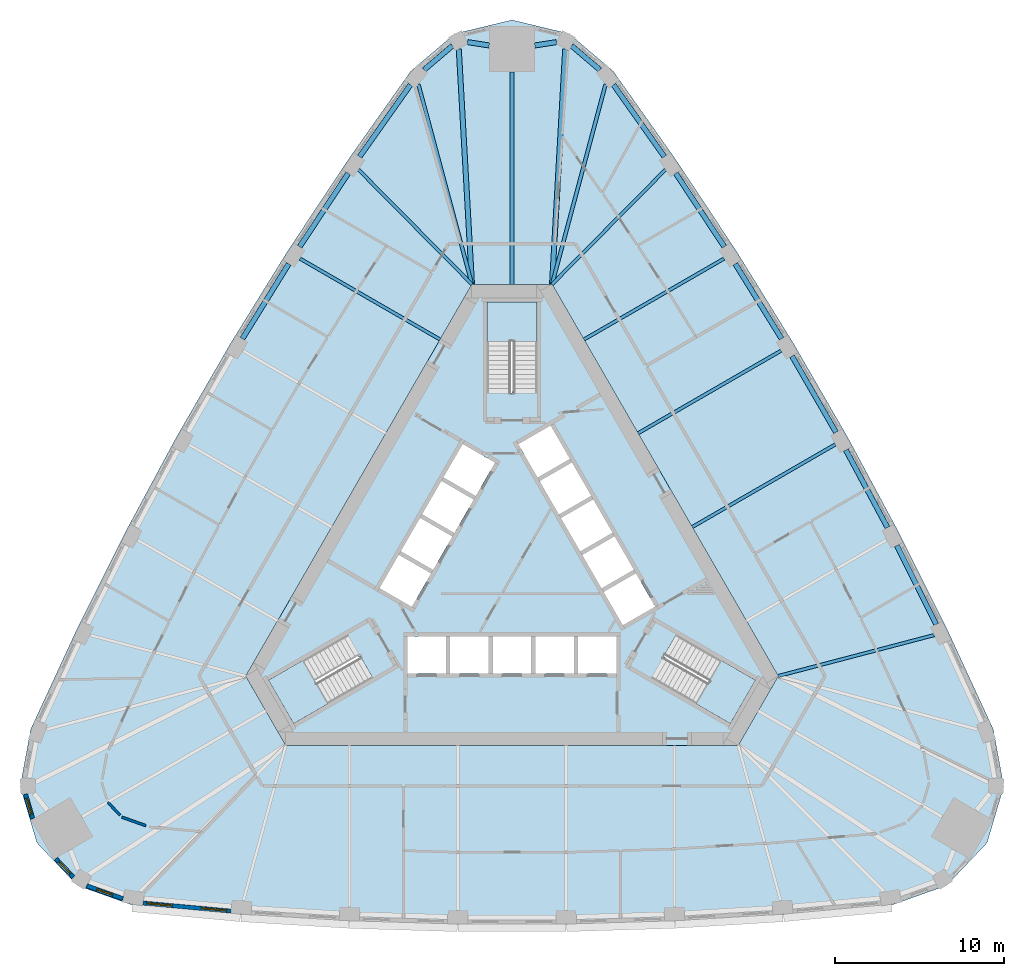
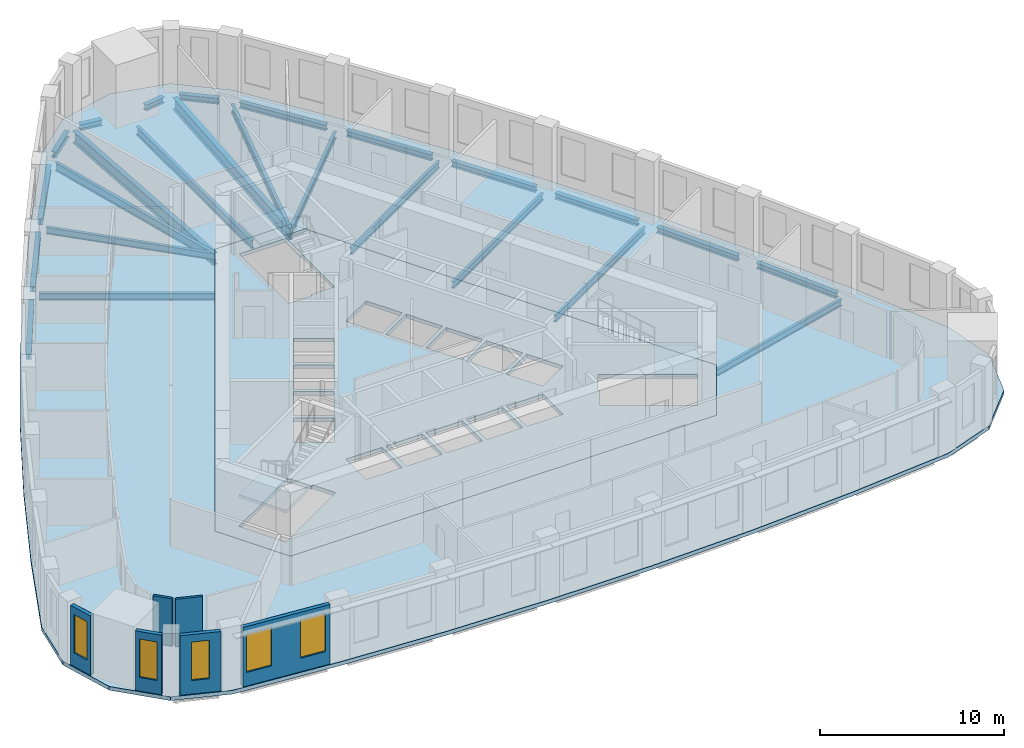
# One storey, part 2 of 11: 25 beams, 6 walls, 5 slabs, 5 windows, 5 openings, 3 elements without a shape of their own.
"""IFC4 building model written with IfcOpenShell, lengths in metres."""

from ifc_helpers import new_model, si_unit, direction, frame, frame_2d, origin, origin_2d, place, context, subcontext, project, spatial, polyline, rectangle, i_section, outline, extrude, material, layer, layer_set, material_profile, profile_set, type_object, element, fill, aggregate, save


model = new_model("IFC4")

# Units and contexts
model_context = context("Model", 3, precision=1e-05, world=origin(), true_north=direction((0.0, 1.0)))
body_context = subcontext(model_context, "Body", "Model", "MODEL_VIEW")
ifc_project = project(units=[si_unit("LENGTHUNIT", "METRE"), si_unit("AREAUNIT", "SQUARE_METRE"), si_unit("VOLUMEUNIT", "CUBIC_METRE"), si_unit("PLANEANGLEUNIT", "RADIAN"), si_unit("MASSUNIT", "GRAM", prefix="KILO")], contexts=[model_context])

# Site, building, storey
site_placement = place(None, origin())
site = spatial("IfcSite", under=ifc_project, at=site_placement, CompositionType="ELEMENT")
building_placement = place(site_placement, origin())
building = spatial("IfcBuilding", under=site, at=building_placement, Name="Mestral Congress Tower", CompositionType="ELEMENT")
storey_placement = place(building_placement, frame((0.0, 0.0, 171.0)))
storey = spatial("IfcBuildingStorey", under=building, at=storey_placement, Name="L40", CompositionType="ELEMENT", Elevation=171.0)

# Beams
ifc_material_1 = material(Name="Steel S355", Category="steel")
ifc_material_profile_1 = material_profile(ifc_material_1, i_section(OverallWidth=0.300048828125, OverallDepth=0.800048828125, WebThickness=0.017578125, FlangeThickness=0.032958984375, FilletRadius=0.030029296875, at=origin_2d()), Name="HEB 800")
ifc_profile_set_1 = profile_set([ifc_material_profile_1], Name="Steel S355")
beam_type_1 = type_object("IfcBeamType", Name="Floor beam HEB 800 S355", PredefinedType="BEAM", material=ifc_profile_set_1)
for number, where, z_axis, x_axis, name in (
    (1, (3.143798828125, 30.703857421875, -0.64990234375), (-0.055769084972, -0.998443693536, 0.0), (0.998443693536, -0.055769084972, 0.0), "BM-L40-RB3-N1"),
    (2, (-3.143798828125, 30.703857421875, -0.64990234375), (0.055769084972, -0.998443693536, 0.0), (0.998443693536, 0.055769084972, 0.0), "BM-L40-RB3-N3"),
):
    element("IfcBeam", number, at=place(storey_placement, frame(where, z_axis=z_axis, x_axis=x_axis)), inside=storey, type_object=beam_type_1, Name=name, PredefinedType="BEAM", context=body_context, shape_type="SweptSolid", body=[
        extrude(i_section(OverallWidth=0.300048828125, OverallDepth=0.800048828125, WebThickness=0.017578125, FlangeThickness=0.032958984375, FilletRadius=0.030029296875, at=origin_2d()), origin(), (0.0, 0.0, 1.0), 13.925537109375),
    ])
ifc_material_profile_2 = material_profile(ifc_material_1, i_section(OverallWidth=0.18994140625, OverallDepth=0.449951171875, WebThickness=0.009521484375, FlangeThickness=0.0146484375, FilletRadius=0.02099609375, at=origin_2d()), Name="IPE 450")
ifc_profile_set_2 = profile_set([ifc_material_profile_2], Name="Steel S355")
beam_type_2 = type_object("IfcBeamType", Name="Floor beam IPE 450 S355", PredefinedType="BEAM", material=ifc_profile_set_2)
beam_1_placement = place(storey_placement, frame((24.938232421875, -3.93505859375, -0.47509765625), z_axis=(-0.967265999603, -0.253764627187, 0.0), x_axis=(0.253764627187, -0.967265999603, 0.0)))
element("IfcBeam", 3, at=beam_1_placement, inside=storey, type_object=beam_type_2, Name="BM-L40-RB3-E01", PredefinedType="BEAM", context=body_context, shape_type="SweptSolid", body=[
    extrude(i_section(OverallWidth=0.18994140625, OverallDepth=0.449951171875, WebThickness=0.009521484375, FlangeThickness=0.0146484375, FilletRadius=0.02099609375, at=origin_2d()), origin(), (0.0, 0.0, 1.0), 9.516845703125),
])
beam_2_placement = place(storey_placement, frame((19.100830078125, 7.332763671875, -0.47509765625), z_axis=(-0.866036015824, -0.499981618958, 0.0), x_axis=(0.499981618958, -0.866036015824, 0.0)))
element("IfcBeam", 4, at=beam_2_placement, inside=storey, type_object=beam_type_2, Name="BM-L40-RB3-E03", PredefinedType="BEAM", context=body_context, shape_type="SweptSolid", body=[
    extrude(i_section(OverallWidth=0.18994140625, OverallDepth=0.449951171875, WebThickness=0.009521484375, FlangeThickness=0.0146484375, FilletRadius=0.02099609375, at=origin_2d()), origin(), (0.0, 0.0, 1.0), 9.758056640625),
])
beam_3_placement = place(storey_placement, frame((15.90087890625, 12.875244140625, -0.47509765625), z_axis=(-0.866025182435, -0.500000383388, 0.0), x_axis=(0.500000383388, -0.866025182435, 0.0)))
element("IfcBeam", 5, at=beam_3_placement, inside=storey, type_object=beam_type_2, Name="BM-L40-RB3-E04", PredefinedType="BEAM", context=body_context, shape_type="SweptSolid", body=[
    extrude(i_section(OverallWidth=0.18994140625, OverallDepth=0.449951171875, WebThickness=0.009521484375, FlangeThickness=0.0146484375, FilletRadius=0.02099609375, at=origin_2d()), origin(), (0.0, 0.0, 1.0), 9.75830078125),
])
beam_4_placement = place(storey_placement, frame((12.532958984375, 18.317138671875, -0.47509765625), z_axis=(-0.866022320763, -0.500005339912, 0.0), x_axis=(0.500005339912, -0.866022320763, 0.0)))
element("IfcBeam", 6, at=beam_4_placement, inside=storey, type_object=beam_type_2, Name="BM-L40-RB3-E05", PredefinedType="BEAM", context=body_context, shape_type="SweptSolid", body=[
    extrude(i_section(OverallWidth=0.18994140625, OverallDepth=0.449951171875, WebThickness=0.009521484375, FlangeThickness=0.0146484375, FilletRadius=0.02099609375, at=origin_2d()), origin(), (0.0, 0.0, 1.0), 9.5625),
])
for number, where, z_axis, x_axis, name in (
    (7, (9.06103515625, 23.564697265625, -0.47509765625), (-0.703377189025, -0.710816804781, 0.0), (0.710816804781, -0.703377189025, 0.0), "BM-L40-RB3-E06"),
    (8, (-9.06103515625, 23.564697265625, -0.47509765625), (0.703377189025, -0.710816804781, 0.0), (0.710816804781, 0.703377189025, 0.0), "BM-L40-RB3-W01"),
):
    element("IfcBeam", number, at=place(storey_placement, frame(where, z_axis=z_axis, x_axis=x_axis)), inside=storey, type_object=beam_type_2, Name=name, PredefinedType="BEAM", context=body_context, shape_type="SweptSolid", body=[
        extrude(i_section(OverallWidth=0.18994140625, OverallDepth=0.449951171875, WebThickness=0.009521484375, FlangeThickness=0.0146484375, FilletRadius=0.02099609375, at=origin_2d()), origin(), (0.0, 0.0, 1.0), 9.516845703125),
    ])
beam_5_placement = place(storey_placement, frame((-12.532958984375, 18.317138671875, -0.47509765625), z_axis=(0.866022320763, -0.500005339912, 0.0), x_axis=(0.500005339912, 0.866022320763, 0.0)))
element("IfcBeam", 9, at=beam_5_placement, inside=storey, type_object=beam_type_2, Name="BM-L40-RB3-W02", PredefinedType="BEAM", context=body_context, shape_type="SweptSolid", body=[
    extrude(i_section(OverallWidth=0.18994140625, OverallDepth=0.449951171875, WebThickness=0.009521484375, FlangeThickness=0.0146484375, FilletRadius=0.02099609375, at=origin_2d()), origin(), (0.0, 0.0, 1.0), 9.5625),
])
ifc_material_profile_3 = material_profile(ifc_material_1, i_section(OverallWidth=0.2099609375, OverallDepth=0.550048828125, WebThickness=0.010986328125, FlangeThickness=0.01708984375, FilletRadius=0.02392578125, at=origin_2d()), Name="IPE 550")
ifc_profile_set_3 = profile_set([ifc_material_profile_3], Name="Steel S355")
beam_type_3 = type_object("IfcBeamType", Name="Floor beam IPE 550 S355", PredefinedType="BEAM", material=ifc_profile_set_3)
beam_6_placement = place(storey_placement, frame((5.5283203125, 28.609375, -0.52490234375), z_axis=(-0.258577363905, -0.965990552167, 0.0), x_axis=(0.965990552167, -0.258577363905, 0.0)))
element("IfcBeam", 10, at=beam_6_placement, inside=storey, type_object=beam_type_3, Name="BM-L40-RB3-E07", PredefinedType="BEAM", context=body_context, shape_type="SweptSolid", body=[
    extrude(i_section(OverallWidth=0.2099609375, OverallDepth=0.550048828125, WebThickness=0.010986328125, FlangeThickness=0.01708984375, FilletRadius=0.02392578125, at=origin_2d()), origin(), (0.0, 0.0, 1.0), 12.22509765625),
])
beam_7_placement = place(storey_placement, frame((0.0, 29.354248046875, -0.52490234375), z_axis=(0.0, -1.0, 0.0), x_axis=(1.0, 0.0, 0.0)))
element("IfcBeam", 11, at=beam_7_placement, inside=storey, type_object=beam_type_3, Name="BM-L40-RB3-N", PredefinedType="BEAM", context=body_context, shape_type="SweptSolid", body=[
    extrude(i_section(OverallWidth=0.2099609375, OverallDepth=0.550048828125, WebThickness=0.010986328125, FlangeThickness=0.01708984375, FilletRadius=0.02392578125, at=origin_2d()), origin(), (0.0, 0.0, 1.0), 12.55419921875),
])
beam_8_placement = place(storey_placement, frame((-5.5283203125, 28.609375, -0.52490234375), z_axis=(0.258577363905, -0.965990552167, 0.0), x_axis=(0.965990552167, 0.258577363905, 0.0)))
element("IfcBeam", 12, at=beam_8_placement, inside=storey, type_object=beam_type_3, Name="BM-L40-RB3-W00", PredefinedType="BEAM", context=body_context, shape_type="SweptSolid", body=[
    extrude(i_section(OverallWidth=0.2099609375, OverallDepth=0.550048828125, WebThickness=0.010986328125, FlangeThickness=0.01708984375, FilletRadius=0.02392578125, at=origin_2d()), origin(), (0.0, 0.0, 1.0), 12.22509765625),
])
ifc_material_profile_4 = material_profile(ifc_material_1, i_section(OverallWidth=0.300048828125, OverallDepth=0.389892578125, WebThickness=0.010986328125, FlangeThickness=0.01904296875, FilletRadius=0.027099609375, at=origin_2d()), Name="HEA 400")
ifc_profile_set_4 = profile_set([ifc_material_profile_4], Name="Steel S355")
beam_type_4 = type_object("IfcBeamType", Name="Spandrel beam HEA 400 S355", PredefinedType="BEAM", material=ifc_profile_set_4)
beam_9_placement = place(storey_placement, frame((25.064453125, -3.294677734375, -0.445068359375), z_axis=(-0.446255467462, 0.894905613884, 0.0), x_axis=(-0.894905613884, -0.446255467462, 0.0)))
element("IfcBeam", 13, at=beam_9_placement, inside=storey, type_object=beam_type_4, Name="SP-L40-SB3-E01", PredefinedType="BEAM", context=body_context, shape_type="SweptSolid", body=[
    extrude(i_section(OverallWidth=0.300048828125, OverallDepth=0.389892578125, WebThickness=0.010986328125, FlangeThickness=0.01904296875, FilletRadius=0.027099609375, at=origin_2d()), origin(), (0.0, 0.0, 1.0), 5.199462890625),
])
for number, where, z_axis, x_axis, name in (
    (14, (22.1923828125, 2.424072265625, -0.445068359375), (-0.473332458078, 0.880883865291, 0.0), (-0.880883865291, -0.473332458078, 0.0), "SP-L40-SB3-E02"),
    (15, (19.147216796875, 8.052490234375, -0.445068359375), (-0.499992051641, 0.866029992723, 0.0), (-0.866029992723, -0.499992051641, 0.0), "SP-L40-SB3-E03"),
):
    element("IfcBeam", number, at=place(storey_placement, frame(where, z_axis=z_axis, x_axis=x_axis)), inside=storey, type_object=beam_type_4, Name=name, PredefinedType="BEAM", context=body_context, shape_type="SweptSolid", body=[
        extrude(i_section(OverallWidth=0.300048828125, OverallDepth=0.389892578125, WebThickness=0.010986328125, FlangeThickness=0.01904296875, FilletRadius=0.027099609375, at=origin_2d()), origin(), (0.0, 0.0, 1.0), 5.19970703125),
    ])
for number, where, z_axis, x_axis, name in (
    (16, (15.931640625, 13.585693359375, -0.445068359375), (-0.526220441006, 0.8503481919, 0.0), (-0.8503481919, -0.526220441006, 0.0), "SP-L40-SB3-E04"),
    (17, (12.548583984375, 19.017822265625, -0.445068359375), (-0.551901475275, 0.833909324561, 0.0), (-0.833909324561, -0.551901475275, 0.0), "SP-L40-SB3-E05"),
):
    element("IfcBeam", number, at=place(storey_placement, frame(where, z_axis=z_axis, x_axis=x_axis)), inside=storey, type_object=beam_type_4, Name=name, PredefinedType="BEAM", context=body_context, shape_type="SweptSolid", body=[
        extrude(i_section(OverallWidth=0.300048828125, OverallDepth=0.389892578125, WebThickness=0.010986328125, FlangeThickness=0.01904296875, FilletRadius=0.027099609375, at=origin_2d()), origin(), (0.0, 0.0, 1.0), 5.199462890625),
    ])
beam_10_placement = place(storey_placement, frame((9.00146484375, 24.34423828125, -0.445068359375), z_axis=(-0.577107284947, 0.816668342512, 0.0), x_axis=(-0.816668342512, -0.577107284947, 0.0)))
element("IfcBeam", 18, at=beam_10_placement, inside=storey, type_object=beam_type_4, Name="SP-L40-SB3-E06", PredefinedType="BEAM", context=body_context, shape_type="SweptSolid", body=[
    extrude(i_section(OverallWidth=0.300048828125, OverallDepth=0.389892578125, WebThickness=0.010986328125, FlangeThickness=0.01904296875, FilletRadius=0.027099609375, at=origin_2d()), origin(), (0.0, 0.0, 1.0), 5.197509765625),
])
beam_11_placement = place(storey_placement, frame((5.191162109375, 29.47509765625, -0.445068359375), z_axis=(-0.761471479234, 0.648198415852, 0.0), x_axis=(-0.648198415852, -0.761471479234, 0.0)))
element("IfcBeam", 19, at=beam_11_placement, inside=storey, type_object=beam_type_4, Name="SP-L40-SB3-E07", PredefinedType="BEAM", context=body_context, shape_type="SweptSolid", body=[
    extrude(i_section(OverallWidth=0.300048828125, OverallDepth=0.389892578125, WebThickness=0.010986328125, FlangeThickness=0.01904296875, FilletRadius=0.027099609375, at=origin_2d()), origin(), (0.0, 0.0, 1.0), 2.189697265625),
])
for number, where, z_axis, x_axis, name in (
    (20, (2.62353515625, 31.10986328125, -0.445068359375), (-0.988242111203, -0.152897121116, 0.0), (0.152897121116, -0.988242111203, 0.0), "SP-L40-SB3-N1"),
    (21, (-1.35009765625, 30.912841796875, -0.445068359375), (-0.988242111203, 0.152897121116, 0.0), (-0.152897121116, -0.988242111203, 0.0), "SP-L40-SB3-N"),
):
    element("IfcBeam", number, at=place(storey_placement, frame(where, z_axis=z_axis, x_axis=x_axis)), inside=storey, type_object=beam_type_4, Name=name, PredefinedType="BEAM", context=body_context, shape_type="SweptSolid", body=[
        extrude(i_section(OverallWidth=0.300048828125, OverallDepth=0.389892578125, WebThickness=0.010986328125, FlangeThickness=0.01904296875, FilletRadius=0.027099609375, at=origin_2d()), origin(), (0.0, 0.0, 1.0), 1.28857421875),
    ])
beam_12_placement = place(storey_placement, frame((-3.523681640625, 30.89453125, -0.445068359375), z_axis=(-0.761471479234, -0.648198415852, 0.0), x_axis=(0.648198415852, -0.761471479234, 0.0)))
element("IfcBeam", 22, at=beam_12_placement, inside=storey, type_object=beam_type_4, Name="SP-L40-SB3-N3", PredefinedType="BEAM", context=body_context, shape_type="SweptSolid", body=[
    extrude(i_section(OverallWidth=0.300048828125, OverallDepth=0.389892578125, WebThickness=0.010986328125, FlangeThickness=0.01904296875, FilletRadius=0.027099609375, at=origin_2d()), origin(), (0.0, 0.0, 1.0), 2.189697265625),
])
beam_13_placement = place(storey_placement, frame((-6.001953125, 28.5888671875, -0.445068359375), z_axis=(-0.577107284947, -0.816668342512, 0.0), x_axis=(0.816668342512, -0.577107284947, 0.0)))
element("IfcBeam", 23, at=beam_13_placement, inside=storey, type_object=beam_type_4, Name="SP-L40-SB3-W00", PredefinedType="BEAM", context=body_context, shape_type="SweptSolid", body=[
    extrude(i_section(OverallWidth=0.300048828125, OverallDepth=0.389892578125, WebThickness=0.010986328125, FlangeThickness=0.01904296875, FilletRadius=0.027099609375, at=origin_2d()), origin(), (0.0, 0.0, 1.0), 5.197509765625),
])
for number, where, z_axis, x_axis, name in (
    (24, (-9.678955078125, 23.353759765625, -0.445068359375), (-0.551901475275, -0.833909324561, 0.0), (0.833909324561, -0.551901475275, 0.0), "SP-L40-SB3-W01"),
    (25, (-13.195556640625, 18.007080078125, -0.445068359375), (-0.526220441006, -0.8503481919, 0.0), (0.8503481919, -0.526220441006, 0.0), "SP-L40-SB3-W02"),
):
    element("IfcBeam", number, at=place(storey_placement, frame(where, z_axis=z_axis, x_axis=x_axis)), inside=storey, type_object=beam_type_4, Name=name, PredefinedType="BEAM", context=body_context, shape_type="SweptSolid", body=[
        extrude(i_section(OverallWidth=0.300048828125, OverallDepth=0.389892578125, WebThickness=0.010986328125, FlangeThickness=0.01904296875, FilletRadius=0.027099609375, at=origin_2d()), origin(), (0.0, 0.0, 1.0), 5.199462890625),
    ])

# Slabs
ifc_material_2 = material(Name="Concrete C35/45", Category="concrete")
ifc_layer_1 = layer(ifc_material_2, 0.25)
ifc_layer_set_1 = layer_set([ifc_layer_1], Name="Concrete C35/45")
slab_type_1 = type_object("IfcSlabType", Name="Composite floor slab 250", PredefinedType="FLOOR", material=ifc_layer_set_1)
placement_1 = place(storey_placement, frame((0.0, 0.0, -0.25)))
element("IfcSlab", 26, at=placement_1, inside=storey, type_object=slab_type_1, Name="SL-L40", PredefinedType="FLOOR", context=body_context, shape_type="SweptSolid", body=[
    extrude(outline(polyline([(-22.455078125, -19.880126953125), (-25.68212890625, -18.731689453125), (-28.073974609375, -16.20849609375), (-29.06298828125, -12.87548828125), (-28.444091796875, -9.506591796875), (-25.73779296875, -3.63720703125), (-22.8759765625, 2.1025390625), (-19.84033203125, 7.751953125), (-16.633544921875, 13.30615234375), (-13.2587890625, 18.760009765625), (-9.71923828125, 24.1083984375), (-5.9892578125, 29.38671875), (-3.381103515625, 31.607177734375), (0.0, 32.4169921875), (3.381103515625, 31.607177734375), (5.9892578125, 29.38671875), (9.71923828125, 24.1083984375), (13.2587890625, 18.760009765625), (16.633544921875, 13.30615234375), (19.84033203125, 7.751953125), (22.8759765625, 2.1025390625), (25.73779296875, -3.63720703125), (28.444091796875, -9.506591796875), (29.06298828125, -12.87548828125), (28.073974609375, -16.20849609375), (25.68212890625, -18.731689453125), (22.455078125, -19.880126953125), (16.018798828125, -20.47119140625), (9.6171875, -20.862548828125), (3.206787109375, -21.05810546875), (-3.206787109375, -21.05810546875), (-9.6171875, -20.862548828125), (-16.018798828125, -20.47119140625), (-22.455078125, -19.880126953125)]), holes=[polyline([(-2.3671875, 16.800048828125), (-15.73291015625, -6.35009765625), (-13.36572265625, -10.449951171875), (13.36572265625, -10.449951171875), (15.73291015625, -6.35009765625), (2.3671875, 16.800048828125), (-2.3671875, 16.800048828125)])]), origin(), (0.0, 0.0, 1.0), 0.25),
])
ifc_material_3 = material(Name="Concrete C60/75", Category="concrete")
ifc_layer_2 = layer(ifc_material_3, 0.25)
ifc_layer_set_2 = layer_set([ifc_layer_2], Name="Concrete C60/75")
slab_type_2 = type_object("IfcSlabType", Name="Core floor slab RC 250", PredefinedType="FLOOR", material=ifc_layer_set_2)
element("IfcSlab", 27, at=placement_1, inside=storey, type_object=slab_type_2, Name="L40 core floor", PredefinedType="FLOOR", context=body_context, shape_type="SweptSolid", body=[
    extrude(outline(polyline([(13.36572265625, -10.449951171875), (-13.36572265625, -10.449951171875), (-15.73291015625, -6.35009765625), (-2.3671875, 16.800048828125), (2.3671875, 16.800048828125), (15.73291015625, -6.35009765625), (13.36572265625, -10.449951171875)]), holes=[polyline([(-9.8046875, -3.95751953125), (-14.37744140625, -6.59765625), (-12.90234375, -9.15234375), (-8.234619140625, -6.45751953125), (-8.971923828125, -5.179931640625), (-9.0673828125, -5.235107421875), (-9.8046875, -3.95751953125)]), polyline([(-3.905029296875, -4.0), (-6.175048828125, -4.0), (-6.175048828125, -6.199951171875), (-3.905029296875, -6.199951171875), (-3.905029296875, -4.0)]), polyline([(-1.385009765625, -4.0), (-3.655029296875, -4.0), (-3.655029296875, -6.199951171875), (-1.385009765625, -6.199951171875), (-1.385009765625, -4.0)]), polyline([(1.135009765625, -4.0), (-1.135009765625, -4.0), (-1.135009765625, -6.199951171875), (1.135009765625, -6.199951171875), (1.135009765625, -4.0)]), polyline([(-5.921630859375, -2.256591796875), (-4.78662109375, -0.29052734375), (-6.69189453125, 0.809326171875), (-7.826904296875, -1.156494140625), (-5.921630859375, -2.256591796875)]), polyline([(-4.66162109375, -0.07421875), (-3.526611328125, 1.8916015625), (-5.431884765625, 2.99169921875), (-6.56689453125, 1.02587890625), (-4.66162109375, -0.07421875)]), polyline([(-3.401611328125, 2.1083984375), (-2.2666015625, 4.07421875), (-4.171875, 5.174072265625), (-5.306884765625, 3.208251953125), (-3.401611328125, 2.1083984375)]), polyline([(-2.1416015625, 4.29052734375), (-1.006591796875, 6.256591796875), (-2.911865234375, 7.3564453125), (-4.046875, 5.390625), (-2.1416015625, 4.29052734375)]), polyline([(1.47509765625, 10.469970703125), (1.47509765625, 15.75), (-1.47509765625, 15.75), (-1.47509765625, 10.360107421875), (0.0, 10.360107421875), (0.0, 10.469970703125), (1.47509765625, 10.469970703125)]), polyline([(8.329833984375, -6.512451171875), (12.90234375, -9.15234375), (14.37744140625, -6.59765625), (9.70947265625, -3.902587890625), (8.971923828125, -5.179931640625), (9.0673828125, -5.235107421875), (8.329833984375, -6.512451171875)]), polyline([(3.655029296875, -4.0), (1.385009765625, -4.0), (1.385009765625, -6.199951171875), (3.655029296875, -6.199951171875), (3.655029296875, -4.0)]), polyline([(6.175048828125, -4.0), (3.905029296875, -4.0), (3.905029296875, -6.199951171875), (6.175048828125, -6.199951171875), (6.175048828125, -4.0)]), polyline([(5.41650390625, -1.3818359375), (6.551513671875, -3.34765625), (8.456787109375, -2.247802734375), (7.322021484375, -0.28173828125), (5.41650390625, -1.3818359375)]), polyline([(4.156494140625, 0.800537109375), (5.29150390625, -1.165283203125), (7.197021484375, -0.065185546875), (6.06201171875, 1.900634765625), (4.156494140625, 0.800537109375)]), polyline([(2.896484375, 2.98291015625), (4.031494140625, 1.01708984375), (5.93701171875, 2.1171875), (4.802001953125, 4.0830078125), (2.896484375, 2.98291015625)]), polyline([(3.5419921875, 6.265380859375), (1.63671875, 5.165283203125), (2.771484375, 3.199462890625), (4.677001953125, 4.29931640625), (3.5419921875, 6.265380859375)]), polyline([(2.281982421875, 8.44775390625), (0.376708984375, 7.34765625), (1.51171875, 5.3818359375), (3.4169921875, 6.481689453125), (2.281982421875, 8.44775390625)])]), origin(), (0.0, 0.0, 1.0), 0.25),
])

# Stair, slab
stair_type = type_object("IfcStairType", Name="Exit stair 1400", PredefinedType="HALF_TURN_STAIR", material=ifc_material_3)
placement_2 = place(storey_placement, origin())
stair_1 = element("IfcStair", 28, at=placement_2, inside=storey, type_object=stair_type, Name="L40 ST1", PredefinedType="HALF_TURN_STAIR")
ifc_layer_3 = layer(ifc_material_3, 0.199951171875)
ifc_layer_set_3 = layer_set([ifc_layer_3], Name="Concrete C60/75")
slab_type_3 = type_object("IfcSlabType", Name="Exit stair landing 200", PredefinedType="LANDING", material=ifc_layer_set_3)
placement_3 = place(storey_placement, frame((0.0, 0.0, 1.89990234375)))
slab_3 = element("IfcSlab", 29, at=placement_3, type_object=slab_type_3, Name="ST1 landing 1", PredefinedType="LANDING", context=body_context, shape_type="SweptSolid", body=[
    extrude(outline(polyline([(10.879638671875, -7.99609375), (12.364501953125, -5.424072265625), (14.39111328125, -6.593994140625), (12.906005859375, -9.166015625), (10.879638671875, -7.99609375)])), origin(), (0.0, 0.0, 1.0), 0.2001953125),
])
aggregate(stair_1, [slab_3])

stair_2 = element("IfcStair", 30, at=placement_2, inside=storey, type_object=stair_type, Name="L40 ST2", PredefinedType="HALF_TURN_STAIR")
slab_4 = element("IfcSlab", 31, at=placement_3, type_object=slab_type_3, Name="ST2 landing 1", PredefinedType="LANDING", context=body_context, shape_type="SweptSolid", body=[
    extrude(outline(polyline([(1.485107421875, 13.419921875), (-1.485107421875, 13.419921875), (-1.485107421875, 15.760009765625), (1.485107421875, 15.760009765625), (1.485107421875, 13.419921875)])), origin(), (0.0, 0.0, 1.0), 0.2001953125),
])
aggregate(stair_2, [slab_4])

stair_3 = element("IfcStair", 32, at=placement_2, inside=storey, type_object=stair_type, Name="L40 ST3", PredefinedType="HALF_TURN_STAIR")
slab_5 = element("IfcSlab", 33, at=placement_3, type_object=slab_type_3, Name="ST3 landing 1", PredefinedType="LANDING", context=body_context, shape_type="SweptSolid", body=[
    extrude(outline(polyline([(-12.364501953125, -5.424072265625), (-10.879638671875, -7.99609375), (-12.906005859375, -9.166015625), (-14.39111328125, -6.593994140625), (-12.364501953125, -5.424072265625)])), origin(), (0.0, 0.0, 1.0), 0.2001953125),
])
aggregate(stair_3, [slab_5])

# Wall, openings, windows
ifc_material_4 = material(Name="Precast concrete C40/50 with limestone facing", Category="masonry")
ifc_layer_4 = layer(ifc_material_4, 0.239990234375)
ifc_layer_set_4 = layer_set([ifc_layer_4], Name="Precast concrete C40/50 with limestone facing")
wall_type_1 = type_object("IfcWallType", Name="Facade stone wall 240", PredefinedType="SOLIDWALL", material=ifc_layer_set_4)
wall_1_placement = place(storey_placement, frame((-21.797119140625, -19.769775390625, 0.0), z_axis=(0.0, 0.0, 1.0), x_axis=(0.995808712151, -0.091460422067, 0.0)))
wall_1 = element("IfcWall", 34, at=wall_1_placement, inside=storey, type_object=wall_type_1, Name="Facade wall F0-00", PredefinedType="SOLIDWALL", context=body_context, shape_type="SweptSolid", body=[
    extrude(rectangle(XDim=5.213134765625, YDim=0.239990234375, at=frame_2d((2.6064453125, 0.0))), origin(), (0.0, 0.0, 1.0), 3.949951171875),
])
opening_1_placement = place(wall_1_placement, frame((0.220947265625, 0.0, 0.89990234375)))
opening_1 = element("IfcOpeningElement", 35, at=opening_1_placement, cuts=wall_1, Name="Opening W4", PredefinedType="OPENING", context=body_context, shape_type="SweptSolid", body=[
    extrude(rectangle(XDim=1.5, YDim=2.550048828125, at=frame_2d((0.75, 1.27490234375))), frame((0.0, 0.1298828125, 0.0), z_axis=(0.0, -1.0, 0.0), x_axis=(1.0, 0.0, 0.0)), (0.0, 0.0, 1.0), 0.260009765625),
])
opening_2_placement = place(wall_1_placement, frame((3.452392578125, 0.0, 0.89990234375)))
opening_2 = element("IfcOpeningElement", 36, at=opening_2_placement, cuts=wall_1, Name="Opening W4", PredefinedType="OPENING", context=body_context, shape_type="SweptSolid", body=[
    extrude(rectangle(XDim=1.5, YDim=2.550048828125, at=frame_2d((0.75, 1.27490234375))), frame((0.0, 0.1298828125, 0.0), z_axis=(0.0, -1.0, 0.0), x_axis=(1.0, 0.0, 0.0)), (0.0, 0.0, 1.0), 0.260009765625),
])
ifc_material_5 = material(Name="Clear low-emissivity double glazing", Category="glass")
window_type_1 = type_object("IfcWindowType", Name="Facade punched window 1500 x 2550 sill 900", PartitioningType="SINGLE_PANEL", PredefinedType="WINDOW", material=ifc_material_5)
window_1_placement = place(opening_1_placement, origin())
window_1 = element("IfcWindow", 37, at=window_1_placement, inside=storey, type_object=window_type_1, Name="Window F0-00a", OverallHeight=2.550048828125, OverallWidth=1.5, PartitioningType="SINGLE_PANEL", PredefinedType="WINDOW", context=body_context, shape_type="SweptSolid", body=[
    extrude(rectangle(XDim=1.5, YDim=2.550048828125, at=frame_2d((0.75, 1.27490234375))), frame((0.0, 0.0400390625, 0.0), z_axis=(0.0, -1.0, 0.0), x_axis=(1.0, 0.0, 0.0)), (0.0, 0.0, 1.0), 0.06005859375),
])
fill(opening_1, window_1)
window_2_placement = place(opening_2_placement, origin())
window_2 = element("IfcWindow", 38, at=window_2_placement, inside=storey, type_object=window_type_1, Name="Window F0-00b", OverallHeight=2.550048828125, OverallWidth=1.5, PartitioningType="SINGLE_PANEL", PredefinedType="WINDOW", context=body_context, shape_type="SweptSolid", body=[
    extrude(rectangle(XDim=1.5, YDim=2.550048828125, at=frame_2d((0.75, 1.27490234375))), frame((0.0, 0.0400390625, 0.0), z_axis=(0.0, -1.0, 0.0), x_axis=(1.0, 0.0, 0.0)), (0.0, 0.0, 1.0), 0.06005859375),
])
fill(opening_2, window_2)

# Wall, opening, window
wall_2_placement = place(storey_placement, frame((-28.747802734375, -13.340087890625, 0.0), z_axis=(0.0, 0.0, 1.0), x_axis=(0.284413721403, -0.958701640281, 0.0)))
wall_2 = element("IfcWall", 39, at=wall_2_placement, inside=storey, type_object=wall_type_1, Name="Facade wall K2-1", PredefinedType="SOLIDWALL", context=body_context, shape_type="SweptSolid", body=[
    extrude(rectangle(XDim=1.481689453125, YDim=0.239990234375, at=frame_2d((0.74072265625, 0.0))), origin(), (0.0, 0.0, 1.0), 3.949951171875),
])
opening_3_placement = place(wall_2_placement, frame((0.24072265625, 0.0, 0.89990234375)))
opening_3 = element("IfcOpeningElement", 40, at=opening_3_placement, cuts=wall_2, Name="Opening W5", PredefinedType="OPENING", context=body_context, shape_type="SweptSolid", body=[
    extrude(rectangle(XDim=1.0, YDim=2.550048828125, at=frame_2d((0.5, 1.27490234375))), frame((0.0, 0.1298828125, 0.0), z_axis=(0.0, -1.0, 0.0), x_axis=(1.0, 0.0, 0.0)), (0.0, 0.0, 1.0), 0.260009765625),
])
window_type_2 = type_object("IfcWindowType", Name="Facade punched window 1000 x 2550 sill 900", PartitioningType="SINGLE_PANEL", PredefinedType="WINDOW", material=ifc_material_5)
window_3_placement = place(opening_3_placement, origin())
window_3 = element("IfcWindow", 41, at=window_3_placement, inside=storey, type_object=window_type_2, Name="Window K2-1", OverallHeight=2.550048828125, OverallWidth=1.0, PartitioningType="SINGLE_PANEL", PredefinedType="WINDOW", context=body_context, shape_type="SweptSolid", body=[
    extrude(rectangle(XDim=1.0, YDim=2.550048828125, at=frame_2d((0.5, 1.27490234375))), frame((0.0, 0.0400390625, 0.0), z_axis=(0.0, -1.0, 0.0), x_axis=(1.0, 0.0, 0.0)), (0.0, 0.0, 1.0), 0.06005859375),
])
fill(opening_3, window_3)

wall_3_placement = place(storey_placement, frame((-26.946044921875, -17.151123046875, 0.0), z_axis=(0.0, 0.0, 1.0), x_axis=(0.687986858937, -0.725723144133, 0.0)))
wall_3 = element("IfcWall", 42, at=wall_3_placement, inside=storey, type_object=wall_type_1, Name="Facade wall K2-2", PredefinedType="SOLIDWALL", context=body_context, shape_type="SweptSolid", body=[
    extrude(rectangle(XDim=1.4814453125, YDim=0.239990234375, at=frame_2d((0.74072265625, 0.0))), origin(), (0.0, 0.0, 1.0), 3.949951171875),
])
opening_4_placement = place(wall_3_placement, frame((0.24072265625, 0.0, 0.89990234375)))
opening_4 = element("IfcOpeningElement", 43, at=opening_4_placement, cuts=wall_3, Name="Opening W5", PredefinedType="OPENING", context=body_context, shape_type="SweptSolid", body=[
    extrude(rectangle(XDim=1.0, YDim=2.550048828125, at=frame_2d((0.5, 1.27490234375))), frame((0.0, 0.1298828125, 0.0), z_axis=(0.0, -1.0, 0.0), x_axis=(1.0, 0.0, 0.0)), (0.0, 0.0, 1.0), 0.260009765625),
])
window_4_placement = place(opening_4_placement, origin())
window_4 = element("IfcWindow", 44, at=window_4_placement, inside=storey, type_object=window_type_2, Name="Window K2-2", OverallHeight=2.550048828125, OverallWidth=1.0, PartitioningType="SINGLE_PANEL", PredefinedType="WINDOW", context=body_context, shape_type="SweptSolid", body=[
    extrude(rectangle(XDim=1.0, YDim=2.550048828125, at=frame_2d((0.5, 1.27490234375))), frame((0.0, 0.0400390625, 0.0), z_axis=(0.0, -1.0, 0.0), x_axis=(1.0, 0.0, 0.0)), (0.0, 0.0, 1.0), 0.06005859375),
])
fill(opening_4, window_4)

wall_4_placement = place(storey_placement, frame((-25.12109375, -18.750732421875, 0.0), z_axis=(0.0, 0.0, 1.0), x_axis=(0.942099727267, -0.335332825539, 0.0)))
wall_4 = element("IfcWall", 45, at=wall_4_placement, inside=storey, type_object=wall_type_1, Name="Facade wall K2-3", PredefinedType="SOLIDWALL", context=body_context, shape_type="SweptSolid", body=[
    extrude(rectangle(XDim=2.25048828125, YDim=0.239990234375, at=frame_2d((1.125244140625, 0.0))), origin(), (0.0, 0.0, 1.0), 3.949951171875),
])
opening_5_placement = place(wall_4_placement, frame((0.625244140625, 0.0, 0.89990234375)))
opening_5 = element("IfcOpeningElement", 46, at=opening_5_placement, cuts=wall_4, Name="Opening W5", PredefinedType="OPENING", context=body_context, shape_type="SweptSolid", body=[
    extrude(rectangle(XDim=1.0, YDim=2.550048828125, at=frame_2d((0.5, 1.27490234375))), frame((0.0, 0.1298828125, 0.0), z_axis=(0.0, -1.0, 0.0), x_axis=(1.0, 0.0, 0.0)), (0.0, 0.0, 1.0), 0.260009765625),
])
window_5_placement = place(opening_5_placement, origin())
window_5 = element("IfcWindow", 47, at=window_5_placement, inside=storey, type_object=window_type_2, Name="Window K2-3", OverallHeight=2.550048828125, OverallWidth=1.0, PartitioningType="SINGLE_PANEL", PredefinedType="WINDOW", context=body_context, shape_type="SweptSolid", body=[
    extrude(rectangle(XDim=1.0, YDim=2.550048828125, at=frame_2d((0.5, 1.27490234375))), frame((0.0, 0.0400390625, 0.0), z_axis=(0.0, -1.0, 0.0), x_axis=(1.0, 0.0, 0.0)), (0.0, 0.0, 1.0), 0.06005859375),
])
fill(opening_5, window_5)

# Walls
ifc_material_6 = material(Name="Plasterboard partition on steel studs", Category="steel")
ifc_layer_5 = layer(ifc_material_6, 0.14990234375)
ifc_layer_set_5 = layer_set([ifc_layer_5], Name="Plasterboard partition on steel studs")
wall_type_2 = type_object("IfcWallType", Name="Office partition 150", PredefinedType="PARTITIONING", material=ifc_layer_set_5)
wall_5_placement = place(storey_placement, frame((-21.640380859375, -15.19189453125, 0.0), z_axis=(0.0, 0.0, 1.0), x_axis=(-0.942099140138, 0.335334475041, 0.0)))
element("IfcWall", 48, at=wall_5_placement, inside=storey, type_object=wall_type_2, Name="Partition", PredefinedType="PARTITIONING", context=body_context, shape_type="SweptSolid", body=[
    extrude(rectangle(XDim=1.49755859375, YDim=0.14990234375, at=frame_2d((0.748779296875, 0.0))), origin(), (0.0, 0.0, 1.0), 3.14990234375),
])
wall_6_placement = place(storey_placement, frame((-23.1650390625, -14.569580078125, 0.0), z_axis=(0.0, 0.0, 1.0), x_axis=(-0.688049940621, 0.725663337375, 0.0)))
element("IfcWall", 49, at=wall_6_placement, inside=storey, type_object=wall_type_2, Name="Partition", PredefinedType="PARTITIONING", context=body_context, shape_type="SweptSolid", body=[
    extrude(rectangle(XDim=1.064453125, YDim=0.14990234375, at=frame_2d((0.5322265625, 0.0))), origin(), (0.0, 0.0, 1.0), 3.14990234375),
])

save(model, "model.ifc")
